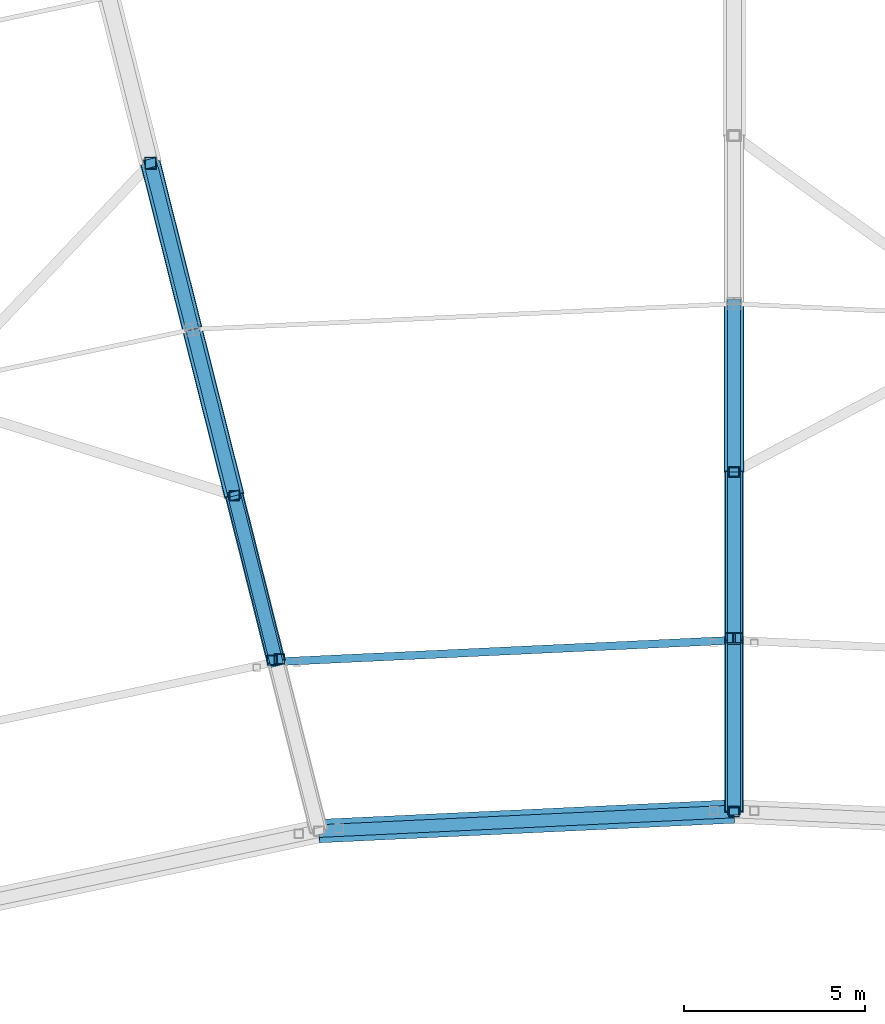
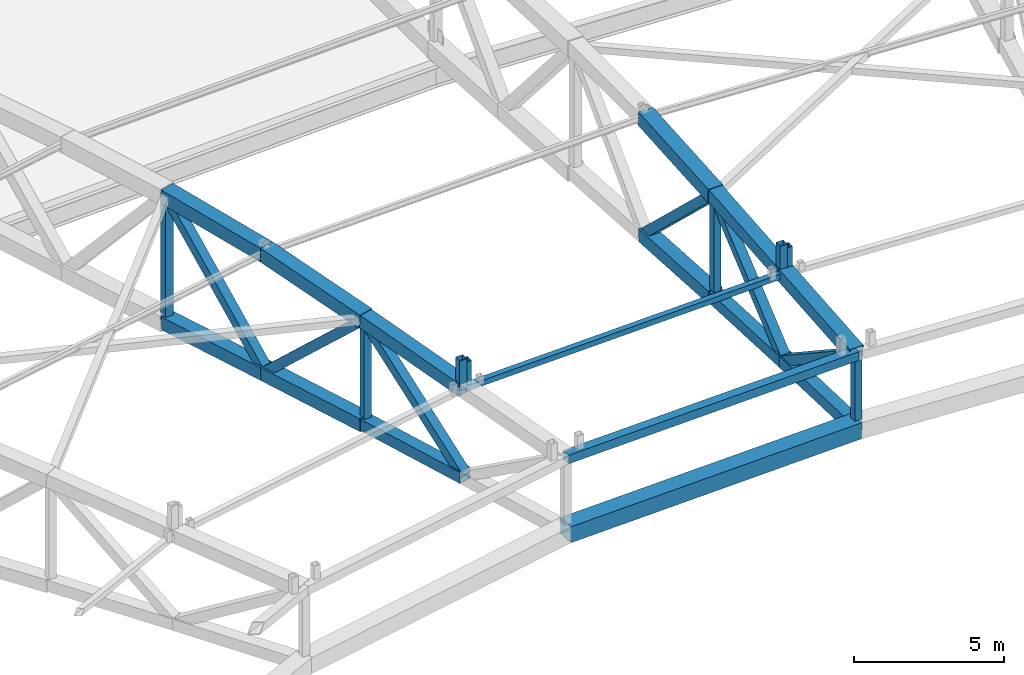
# One storey, part 75 of 162: 29 members.
"""IFC4 building model written with IfcOpenShell, lengths in metres."""

from ifc_helpers import new_model, si_unit, direction, frame, origin, origin_2d, place, context, subcontext, project, spatial, hollow_rectangle, extrude, material, material_profile, profile_set, type_object, element, save


model = new_model("IFC4")

# Units and contexts
model_context = context("Model", 3, precision=1e-05, world=origin(), true_north=direction((0.0, 1.0)))
body_context = subcontext(model_context, "Body", "Model", "MODEL_VIEW")
ifc_project = project(units=[si_unit("LENGTHUNIT", "METRE"), si_unit("AREAUNIT", "SQUARE_METRE"), si_unit("VOLUMEUNIT", "CUBIC_METRE"), si_unit("PLANEANGLEUNIT", "RADIAN"), si_unit("MASSUNIT", "GRAM", prefix="KILO")], contexts=[model_context])

# Site, building, storey
site_placement = place(None, origin())
site = spatial("IfcSite", under=ifc_project, at=site_placement, CompositionType="ELEMENT")
building_placement = place(site_placement, origin())
building = spatial("IfcBuilding", under=site, at=building_placement, Name="Kazemori Nagisa Stadium", CompositionType="ELEMENT")
storey_placement = place(building_placement, frame((0.0, 0.0, 36.719970703125)))
storey = spatial("IfcBuildingStorey", under=building, at=storey_placement, Name="RF", CompositionType="ELEMENT", Elevation=36.719970703125)

# Members
ifc_material = material(Name="Steel STKR490", Category="steel")
ifc_material_profile_1 = material_profile(ifc_material, hollow_rectangle(XDim=0.280029296875, YDim=0.280029296875, WallThickness=0.010009765625, at=origin_2d()), Name="SHS-280x280x10")
ifc_profile_set_1 = profile_set([ifc_material_profile_1], Name="Steel STKR490")
member_type_1 = type_object("IfcMemberType", Name="Member_ST-SHS280", PredefinedType="STUD", material=ifc_profile_set_1)
member_1_placement = place(storey_placement, frame((123.101806640625, 152.8037109375, 5.380126953125), z_axis=(0.0, 0.0, 1.0), x_axis=(1.0, 0.0, 0.0)))
element("IfcMember", 1, at=member_1_placement, inside=storey, type_object=member_type_1, Name="Canopy bearing stool B07-inner-3", PredefinedType="STUD", context=body_context, shape_type="SweptSolid", body=[
    extrude(hollow_rectangle(XDim=0.280029296875, YDim=0.280029296875, WallThickness=0.010009765625, at=origin_2d()), origin(), (0.0, 0.0, 1.0), 1.039794921875),
])
member_2_placement = place(storey_placement, frame((110.44873046875, 152.22021484375, 5.525146484375), z_axis=(0.0, 0.0, 1.0), x_axis=(1.0, 0.0, 0.0)))
element("IfcMember", 2, at=member_2_placement, inside=storey, type_object=member_type_1, Name="Canopy bearing stool B08-inner-3", PredefinedType="STUD", context=body_context, shape_type="SweptSolid", body=[
    extrude(hollow_rectangle(XDim=0.280029296875, YDim=0.280029296875, WallThickness=0.010009765625, at=origin_2d()), origin(), (0.0, 0.0, 1.0), 1.055908203125),
])
member_3_placement = place(storey_placement, frame((122.898193359375, 152.8037109375, 5.380126953125), z_axis=(0.0, 0.0, 1.0), x_axis=(1.0, 0.0, 0.0)))
element("IfcMember", 3, at=member_3_placement, inside=storey, type_object=member_type_1, Name="Canopy bearing stool B08-inner-4", PredefinedType="STUD", context=body_context, shape_type="SweptSolid", body=[
    extrude(hollow_rectangle(XDim=0.280029296875, YDim=0.280029296875, WallThickness=0.010009765625, at=origin_2d()), origin(), (0.0, 0.0, 1.0), 1.200927734375),
])
member_4_placement = place(storey_placement, frame((110.245849609375, 152.185791015625, 5.525146484375), z_axis=(0.0, 0.0, 1.0), x_axis=(1.0, 0.0, 0.0)))
element("IfcMember", 4, at=member_4_placement, inside=storey, type_object=member_type_1, Name="Canopy bearing stool B09-inner-4", PredefinedType="STUD", context=body_context, shape_type="SweptSolid", body=[
    extrude(hollow_rectangle(XDim=0.280029296875, YDim=0.280029296875, WallThickness=0.010009765625, at=origin_2d()), origin(), (0.0, 0.0, 1.0), 1.2099609375),
])
ifc_material_profile_2 = material_profile(ifc_material, hollow_rectangle(XDim=0.360107421875, YDim=0.360107421875, WallThickness=0.013916015625, at=origin_2d()), Name="SHS-360x360x14")
ifc_profile_set_2 = profile_set([ifc_material_profile_2], Name="Steel STKR490")
member_type_2 = type_object("IfcMemberType", Name="Member_TB-SHS360", PredefinedType="BRACE", material=ifc_profile_set_2)
member_5_placement = place(storey_placement, frame((123.0, 162.028076171875, 1.360107421875), z_axis=(0.0, -0.724369724626, 0.689411707215), x_axis=(1.0, 0.0, 0.0)))
element("IfcMember", 5, at=member_5_placement, inside=storey, type_object=member_type_2, Name="Roof space truss diagonal RT-08-7", PredefinedType="BRACE", context=body_context, shape_type="SweptSolid", body=[
    extrude(hollow_rectangle(XDim=0.360107421875, YDim=0.360107421875, WallThickness=0.013916015625, at=origin_2d()), origin(), (0.0, 0.0, 1.0), 6.4111328125),
])
member_6_placement = place(storey_placement, frame((123.0, 157.384033203125, 5.780029296875), z_axis=(0.0, -0.763753198073, -0.645508367439), x_axis=(1.0, 0.0, 0.0)))
element("IfcMember", 6, at=member_6_placement, inside=storey, type_object=member_type_2, Name="Roof space truss diagonal RT-08-8", PredefinedType="BRACE", context=body_context, shape_type="SweptSolid", body=[
    extrude(hollow_rectangle(XDim=0.360107421875, YDim=0.360107421875, WallThickness=0.013916015625, at=origin_2d()), origin(), (0.0, 0.0, 1.0), 6.08056640625),
])
member_7_placement = place(storey_placement, frame((123.0, 152.739990234375, 1.85498046875), z_axis=(0.0, -0.834348761019, 0.551236922734), x_axis=(1.0, 0.0, 0.0)))
element("IfcMember", 7, at=member_7_placement, inside=storey, type_object=member_type_2, Name="Roof space truss diagonal RT-08-9", PredefinedType="BRACE", context=body_context, shape_type="SweptSolid", body=[
    extrude(hollow_rectangle(XDim=0.360107421875, YDim=0.360107421875, WallThickness=0.013916015625, at=origin_2d()), origin(), (0.0, 0.0, 1.0), 5.669189453125),
])
member_8_placement = place(storey_placement, frame((106.886474609375, 165.91015625, 6.251953125), z_axis=(0.171182441945, -0.679022482313, -0.713880270132), x_axis=(0.969661184378, 0.244452832895, 0.0)))
element("IfcMember", 8, at=member_8_placement, inside=storey, type_object=member_type_2, Name="Roof space truss diagonal RT-09-6", PredefinedType="BRACE", context=body_context, shape_type="SweptSolid", body=[
    extrude(hollow_rectangle(XDim=0.360107421875, YDim=0.360107421875, WallThickness=0.013916015625, at=origin_2d()), origin(), (0.0, 0.0, 1.0), 6.7587890625),
])
member_9_placement = place(storey_placement, frame((108.04345703125, 161.32080078125, 1.427001953125), z_axis=(0.177026399688, -0.702055329395, 0.689768053973), x_axis=(0.96964895622, 0.244501332721, 0.0)))
element("IfcMember", 9, at=member_9_placement, inside=storey, type_object=member_type_2, Name="Roof space truss diagonal RT-09-7", PredefinedType="BRACE", context=body_context, shape_type="SweptSolid", body=[
    extrude(hollow_rectangle(XDim=0.360107421875, YDim=0.360107421875, WallThickness=0.013916015625, at=origin_2d()), origin(), (0.0, 0.0, 1.0), 6.537109375),
])
member_10_placement = place(storey_placement, frame((109.20068359375, 156.7314453125, 5.93603515625), z_axis=(0.187195476241, -0.742501238004, -0.6431560971), x_axis=(0.969658101679, 0.244465060587, 0.0)))
element("IfcMember", 10, at=member_10_placement, inside=storey, type_object=member_type_2, Name="Roof space truss diagonal RT-09-8", PredefinedType="BRACE", context=body_context, shape_type="SweptSolid", body=[
    extrude(hollow_rectangle(XDim=0.360107421875, YDim=0.360107421875, WallThickness=0.013916015625, at=origin_2d()), origin(), (0.0, 0.0, 1.0), 6.1806640625),
])
ifc_material_profile_3 = material_profile(ifc_material, hollow_rectangle(XDim=0.35009765625, YDim=0.35009765625, WallThickness=0.01611328125, at=origin_2d()), Name="SHS-350x350x16")
ifc_profile_set_3 = profile_set([ifc_material_profile_3], Name="Steel STKR490")
member_type_3 = type_object("IfcMemberType", Name="Member_TC-SHS350", PredefinedType="CHORD", material=ifc_profile_set_3)
member_11_placement = place(storey_placement, frame((123.0, 148.010009765625, 4.97998046875), z_axis=(-0.998816137593, -0.047222332087, 0.011677955097), x_axis=(0.04722555238, -0.998884251153, 0.0)))
element("IfcMember", 11, at=member_11_placement, inside=storey, type_object=member_type_3, Name="Roof tension ring beam upper TR-08", PredefinedType="CHORD", context=body_context, shape_type="SweptSolid", body=[
    extrude(hollow_rectangle(XDim=0.35009765625, YDim=0.35009765625, WallThickness=0.01611328125, at=origin_2d()), origin(), (0.0, 0.0, 1.0), 11.4775390625),
])
ifc_material_profile_4 = material_profile(ifc_material, hollow_rectangle(XDim=0.4599609375, YDim=0.4599609375, WallThickness=0.01611328125, at=origin_2d()), Name="SHS-460x460x16")
ifc_profile_set_4 = profile_set([ifc_material_profile_4], Name="Steel STKR490")
member_type_4 = type_object("IfcMemberType", Name="Member_TC-SHS460", PredefinedType="CHORD", material=ifc_profile_set_4)
member_12_placement = place(storey_placement, frame((123.0, 157.384033203125, 1.64013671875), z_axis=(0.0, -0.998931617978, 0.046212796963), x_axis=(1.0, 0.0, 0.0)))
element("IfcMember", 12, at=member_12_placement, inside=storey, type_object=member_type_4, Name="Roof space truss bottom chord RT-08-8", PredefinedType="CHORD", context=body_context, shape_type="SweptSolid", body=[
    extrude(hollow_rectangle(XDim=0.4599609375, YDim=0.4599609375, WallThickness=0.01611328125, at=origin_2d()), origin(), (0.0, 0.0, 1.0), 4.64892578125),
])
member_13_placement = place(storey_placement, frame((123.0, 152.739990234375, 1.85498046875), z_axis=(0.0, -0.999315893225, 0.036983044051), x_axis=(1.0, 0.0, 0.0)))
element("IfcMember", 13, at=member_13_placement, inside=storey, type_object=member_type_4, Name="Roof space truss bottom chord RT-08-9", PredefinedType="CHORD", context=body_context, shape_type="SweptSolid", body=[
    extrude(hollow_rectangle(XDim=0.4599609375, YDim=0.4599609375, WallThickness=0.01611328125, at=origin_2d()), origin(), (0.0, 0.0, 1.0), 4.733154296875),
])
member_14_placement = place(storey_placement, frame((109.20068359375, 156.7314453125, 1.72900390625), z_axis=(0.244172030114, -0.968495811362, 0.048947758727), x_axis=(0.969658101679, 0.244465060587, 0.0)))
element("IfcMember", 14, at=member_14_placement, inside=storey, type_object=member_type_4, Name="Roof space truss bottom chord RT-09-8", PredefinedType="CHORD", context=body_context, shape_type="SweptSolid", body=[
    extrude(hollow_rectangle(XDim=0.4599609375, YDim=0.4599609375, WallThickness=0.01611328125, at=origin_2d()), origin(), (0.0, 0.0, 1.0), 4.73828125),
])
ifc_material_profile_5 = material_profile(ifc_material, hollow_rectangle(XDim=0.52001953125, YDim=0.52001953125, WallThickness=0.01904296875, at=origin_2d()), Name="SHS-520x520x19")
ifc_profile_set_5 = profile_set([ifc_material_profile_5], Name="Steel STKR490")
member_type_5 = type_object("IfcMemberType", Name="Member_TC-SHS520", PredefinedType="CHORD", material=ifc_profile_set_5)
member_15_placement = place(storey_placement, frame((123.0, 162.028076171875, 1.360107421875), z_axis=(0.0, -0.99818698182, 0.060189279158), x_axis=(1.0, 0.0, 0.0)))
element("IfcMember", 15, at=member_15_placement, inside=storey, type_object=member_type_5, Name="Roof space truss bottom chord RT-08-7", PredefinedType="CHORD", context=body_context, shape_type="SweptSolid", body=[
    extrude(hollow_rectangle(XDim=0.52001953125, YDim=0.52001953125, WallThickness=0.01904296875, at=origin_2d()), origin(), (0.0, 0.0, 1.0), 4.652587890625),
])
member_16_placement = place(storey_placement, frame((123.0, 157.384033203125, 5.780029296875), z_axis=(0.0, -0.996312955576, -0.085793324636), x_axis=(1.0, 0.0, 0.0)))
element("IfcMember", 16, at=member_16_placement, inside=storey, type_object=member_type_5, Name="Roof space truss top chord RT-08-8", PredefinedType="CHORD", context=body_context, shape_type="SweptSolid", body=[
    extrude(hollow_rectangle(XDim=0.52001953125, YDim=0.52001953125, WallThickness=0.01904296875, at=origin_2d()), origin(), (0.0, 0.0, 1.0), 4.6611328125),
])
member_17_placement = place(storey_placement, frame((123.0, 152.739990234375, 5.380126953125), z_axis=(0.0, -0.996440690029, -0.08429680453), x_axis=(1.0, 0.0, 0.0)))
element("IfcMember", 17, at=member_17_placement, inside=storey, type_object=member_type_5, Name="Roof space truss top chord RT-08-9", PredefinedType="CHORD", context=body_context, shape_type="SweptSolid", body=[
    extrude(hollow_rectangle(XDim=0.52001953125, YDim=0.52001953125, WallThickness=0.01904296875, at=origin_2d()), origin(), (0.0, 0.0, 1.0), 4.746826171875),
])
member_18_placement = place(storey_placement, frame((106.886474609375, 165.91015625, 1.10498046875), z_axis=(0.243888978769, -0.967424566976, 0.067881317366), x_axis=(0.969661184378, 0.244452832895, 0.0)))
element("IfcMember", 18, at=member_18_placement, inside=storey, type_object=member_type_5, Name="Roof space truss bottom chord RT-09-6", PredefinedType="CHORD", context=body_context, shape_type="SweptSolid", body=[
    extrude(hollow_rectangle(XDim=0.52001953125, YDim=0.52001953125, WallThickness=0.01904296875, at=origin_2d()), origin(), (0.0, 0.0, 1.0), 4.743896484375),
])
member_19_placement = place(storey_placement, frame((108.04345703125, 161.32080078125, 1.427001953125), z_axis=(0.244005114466, -0.967681042561, 0.063678127974), x_axis=(0.96964895622, 0.244501332721, 0.0)))
element("IfcMember", 19, at=member_19_placement, inside=storey, type_object=member_type_5, Name="Roof space truss bottom chord RT-09-7", PredefinedType="CHORD", context=body_context, shape_type="SweptSolid", body=[
    extrude(hollow_rectangle(XDim=0.52001953125, YDim=0.52001953125, WallThickness=0.01904296875, at=origin_2d()), origin(), (0.0, 0.0, 1.0), 4.74267578125),
])
member_20_placement = place(storey_placement, frame((109.20068359375, 156.7314453125, 5.93603515625), z_axis=(0.243548906494, -0.966024223544, -0.086493523872), x_axis=(0.969658101679, 0.244465060587, 0.0)))
element("IfcMember", 20, at=member_20_placement, inside=storey, type_object=member_type_5, Name="Roof space truss top chord RT-09-8", PredefinedType="CHORD", context=body_context, shape_type="SweptSolid", body=[
    extrude(hollow_rectangle(XDim=0.52001953125, YDim=0.52001953125, WallThickness=0.01904296875, at=origin_2d()), origin(), (0.0, 0.0, 1.0), 4.75048828125),
])
ifc_material_profile_6 = material_profile(ifc_material, hollow_rectangle(XDim=0.56005859375, YDim=0.56005859375, WallThickness=0.02001953125, at=origin_2d()), Name="SHS-560x560x20")
ifc_profile_set_6 = profile_set([ifc_material_profile_6], Name="Steel STKR490")
member_type_6 = type_object("IfcMemberType", Name="Member_TC-SHS560", PredefinedType="CHORD", material=ifc_profile_set_6)
member_21_placement = place(storey_placement, frame((123.0, 162.028076171875, 6.10498046875), z_axis=(0.0, -0.997560939403, -0.069800946817), x_axis=(1.0, 0.0, 0.0)))
element("IfcMember", 21, at=member_21_placement, inside=storey, type_object=member_type_6, Name="Roof space truss top chord RT-08-7", PredefinedType="CHORD", context=body_context, shape_type="SweptSolid", body=[
    extrude(hollow_rectangle(XDim=0.56005859375, YDim=0.56005859375, WallThickness=0.02001953125, at=origin_2d()), origin(), (0.0, 0.0, 1.0), 4.655517578125),
])
member_22_placement = place(storey_placement, frame((106.886474609375, 165.91015625, 6.251953125), z_axis=(0.244451738851, -0.969656844677, 0.002991812799), x_axis=(0.969661184378, 0.244452832895, 0.0)))
element("IfcMember", 22, at=member_22_placement, inside=storey, type_object=member_type_6, Name="Roof space truss top chord RT-09-6", PredefinedType="CHORD", context=body_context, shape_type="SweptSolid", body=[
    extrude(hollow_rectangle(XDim=0.56005859375, YDim=0.56005859375, WallThickness=0.02001953125, at=origin_2d()), origin(), (0.0, 0.0, 1.0), 4.73291015625),
])
member_23_placement = place(storey_placement, frame((108.04345703125, 161.32080078125, 6.26611328125), z_axis=(0.243908912687, -0.967299523354, -0.06957064345), x_axis=(0.96964895622, 0.244501332721, 0.0)))
element("IfcMember", 23, at=member_23_placement, inside=storey, type_object=member_type_6, Name="Roof space truss top chord RT-09-7", PredefinedType="CHORD", context=body_context, shape_type="SweptSolid", body=[
    extrude(hollow_rectangle(XDim=0.56005859375, YDim=0.56005859375, WallThickness=0.02001953125, at=origin_2d()), origin(), (0.0, 0.0, 1.0), 4.744384765625),
])
ifc_material_profile_7 = material_profile(ifc_material, hollow_rectangle(XDim=0.64990234375, YDim=0.64990234375, WallThickness=0.02490234375, at=origin_2d()), Name="SHS-650x650x25")
ifc_profile_set_7 = profile_set([ifc_material_profile_7], Name="Steel STKR490")
member_type_7 = type_object("IfcMemberType", Name="Member_TC-SHS650", PredefinedType="CHORD", material=ifc_profile_set_7)
member_24_placement = place(storey_placement, frame((123.0, 148.010009765625, 2.030029296875), z_axis=(-0.998827752711, -0.04722288123, 0.010635784061), x_axis=(0.04722555238, -0.998884251153, 0.0)))
element("IfcMember", 24, at=member_24_placement, inside=storey, type_object=member_type_7, Name="Roof tension ring beam lower TR-08", PredefinedType="CHORD", context=body_context, shape_type="SweptSolid", body=[
    extrude(hollow_rectangle(XDim=0.64990234375, YDim=0.64990234375, WallThickness=0.02490234375, at=origin_2d()), origin(), (0.0, 0.0, 1.0), 11.477294921875),
])
ifc_material_profile_8 = material_profile(ifc_material, hollow_rectangle(XDim=0.219970703125, YDim=0.219970703125, WallThickness=0.009033203125, at=origin_2d()), Name="SHS-220x220x9")
ifc_profile_set_8 = profile_set([ifc_material_profile_8], Name="Steel STKR490")
member_type_8 = type_object("IfcMemberType", Name="Member_TP-SHS220", PredefinedType="PURLIN", material=ifc_profile_set_8)
member_25_placement = place(storey_placement, frame((123.0, 152.739990234375, 5.380126953125), z_axis=(-0.998818879482, -0.047218365428, 0.011457397494), x_axis=(0.047221464957, -0.998884444391, 0.0)))
element("IfcMember", 25, at=member_25_placement, inside=storey, type_object=member_type_8, Name="Roof purlin TP-SHS220 B08-P8", PredefinedType="PURLIN", context=body_context, shape_type="SweptSolid", body=[
    extrude(hollow_rectangle(XDim=0.219970703125, YDim=0.219970703125, WallThickness=0.009033203125, at=origin_2d()), origin(), (0.0, 0.0, 1.0), 12.6572265625),
])
ifc_material_profile_9 = material_profile(ifc_material, hollow_rectangle(XDim=0.280029296875, YDim=0.280029296875, WallThickness=0.010009765625, at=origin_2d()), Name="SHS-280x280x10")
ifc_profile_set_9 = profile_set([ifc_material_profile_9], Name="Steel STKR490")
member_type_9 = type_object("IfcMemberType", Name="Member_TS-SHS280", PredefinedType="STRUT", material=ifc_profile_set_9)
member_26_placement = place(storey_placement, frame((123.0, 157.384033203125, 1.64013671875), z_axis=(0.0, 0.0, 1.0), x_axis=(1.0, 0.0, 0.0)))
element("IfcMember", 26, at=member_26_placement, inside=storey, type_object=member_type_9, Name="Roof space truss strut RT-08-8", PredefinedType="STRUT", context=body_context, shape_type="SweptSolid", body=[
    extrude(hollow_rectangle(XDim=0.280029296875, YDim=0.280029296875, WallThickness=0.010009765625, at=origin_2d()), origin(), (0.0, 0.0, 1.0), 4.139892578125),
])
member_27_placement = place(storey_placement, frame((123.0, 148.010009765625, 2.030029296875), z_axis=(0.0, 0.0, 1.0), x_axis=(1.0, 0.0, 0.0)))
element("IfcMember", 27, at=member_27_placement, inside=storey, type_object=member_type_9, Name="Roof space truss strut RT-08-10", PredefinedType="STRUT", context=body_context, shape_type="SweptSolid", body=[
    extrude(hollow_rectangle(XDim=0.280029296875, YDim=0.280029296875, WallThickness=0.010009765625, at=origin_2d()), origin(), (0.0, 0.0, 1.0), 2.949951171875),
])
member_28_placement = place(storey_placement, frame((109.20068359375, 156.7314453125, 1.72900390625), z_axis=(0.0, 0.0, 1.0), x_axis=(1.0, 0.0, 0.0)))
element("IfcMember", 28, at=member_28_placement, inside=storey, type_object=member_type_9, Name="Roof space truss strut RT-09-8", PredefinedType="STRUT", context=body_context, shape_type="SweptSolid", body=[
    extrude(hollow_rectangle(XDim=0.280029296875, YDim=0.280029296875, WallThickness=0.010009765625, at=origin_2d()), origin(), (0.0, 0.0, 1.0), 4.20703125),
])
ifc_material_profile_10 = material_profile(ifc_material, hollow_rectangle(XDim=0.320068359375, YDim=0.320068359375, WallThickness=0.011962890625, at=origin_2d()), Name="SHS-320x320x12")
ifc_profile_set_10 = profile_set([ifc_material_profile_10], Name="Steel STKR490")
member_type_10 = type_object("IfcMemberType", Name="Member_TS-SHS320", PredefinedType="STRUT", material=ifc_profile_set_10)
member_29_placement = place(storey_placement, frame((106.886474609375, 165.91015625, 1.10498046875), z_axis=(0.0, 0.0, 1.0), x_axis=(1.0, 0.0, 0.0)))
element("IfcMember", 29, at=member_29_placement, inside=storey, type_object=member_type_10, Name="Roof space truss strut RT-09-6", PredefinedType="STRUT", context=body_context, shape_type="SweptSolid", body=[
    extrude(hollow_rectangle(XDim=0.320068359375, YDim=0.320068359375, WallThickness=0.011962890625, at=origin_2d()), origin(), (0.0, 0.0, 1.0), 5.14697265625),
])

save(model, "model.ifc")
